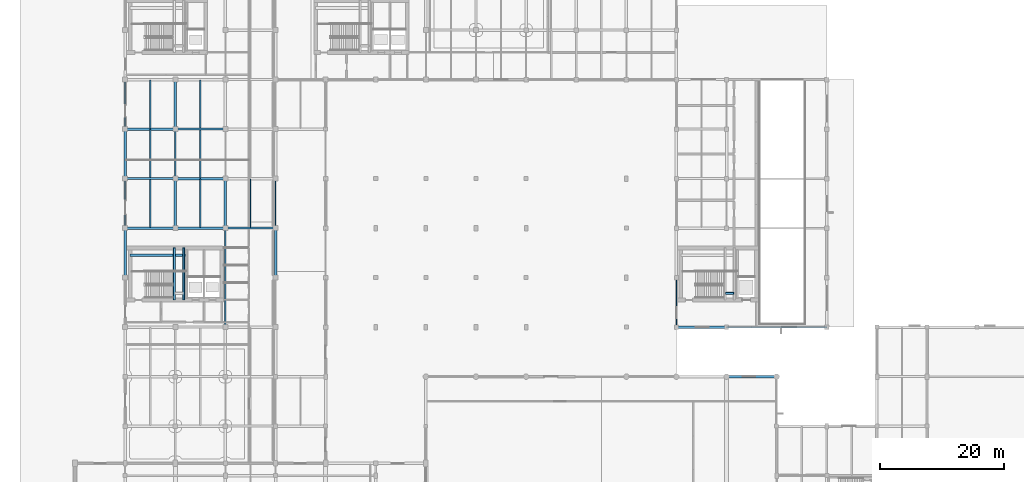
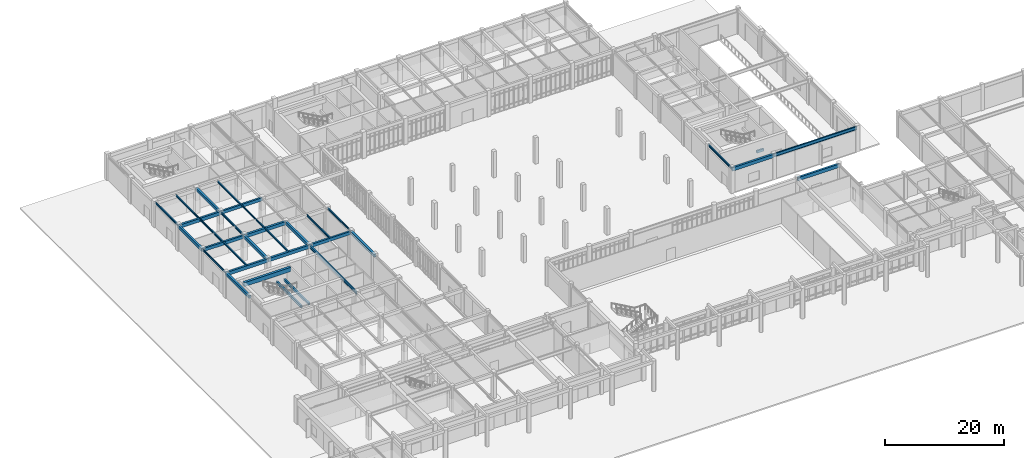
# One storey, part 12 of 62: 33 beams.
"""IFC4 building model written with IfcOpenShell, lengths in metres."""

import ifcopenshell
import ifcopenshell.guid

model = None  # the IFC model being written
_history = None  # IfcOwnerHistory: only IFC2X3 demands one
_inside = {}  # id of a spatial element -> (the spatial element, [elements in it])
_under = {}  # id of a project, library or spatial element -> (it, [spatial elements below it])
_declared = {}  # id of a project -> (the project, [libraries it declares])
_typed = {}  # id of a type object -> (the type object, [elements of that type])
_made_of = {}  # id of a material, layer set ... -> (it, [elements and type objects made of it])


def new_model(schema):
    """Start an empty IFC model of exactly this schema.

    Asked for "IFC4X3", IfcOpenShell would pick the latest addendum, in which some entities
    have other attributes; the version numbers below select the first issue.
    IFC2X3 requires an IfcOwnerHistory on every rooted entity: one is made here for all.
    """
    global model, _history
    if schema == "IFC4X3":
        model = ifcopenshell.file(schema_version=(4, 3, 0, 0))
    else:
        model = ifcopenshell.file(schema=schema)
    _inside.clear()
    _under.clear()
    _declared.clear()
    _typed.clear()
    _made_of.clear()
    _history = None
    if model.schema == "IFC2X3":
        org = make("IfcOrganization", Name="unknown")
        user = make(
            "IfcPersonAndOrganization",
            ThePerson=make("IfcPerson", FamilyName="unknown"),
            TheOrganization=org,
        )
        app = make(
            "IfcApplication",
            ApplicationDeveloper=org,
            Version="unknown",
            ApplicationFullName="unknown",
            ApplicationIdentifier="unknown",
        )
        _history = make(
            "IfcOwnerHistory",
            OwningUser=user,
            OwningApplication=app,
            ChangeAction="ADDED",
            CreationDate=0,
        )
    return model


def make(cls, **values):
    """One entity of the class cls with the attributes given. An attribute that is None is left unset."""
    return model.create_entity(
        cls, **{name: value for name, value in values.items() if value is not None}
    )


def rooted(cls, **values):
    """An entity with a GlobalId (a new one), such as an element, a storey or a relation."""
    return make(cls, GlobalId=ifcopenshell.guid.new(), OwnerHistory=_history, **values)


def si_unit(unit_type, name, prefix=None):
    """IfcSIUnit, for example si_unit("LENGTHUNIT", "METRE", prefix="MILLI")."""
    return make("IfcSIUnit", UnitType=unit_type, Prefix=prefix, Name=name)


def assignment(units):
    """IfcUnitAssignment: the units of a project."""
    return None if units is None else make("IfcUnitAssignment", Units=units)


def point(xyz):
    """IfcCartesianPoint."""
    return None if xyz is None else make("IfcCartesianPoint", Coordinates=xyz)


def direction(xyz):
    """IfcDirection."""
    return None if xyz is None else make("IfcDirection", DirectionRatios=xyz)


def frame(location, z_axis=None, x_axis=None):
    """IfcAxis2Placement3D, a coordinate frame: its origin and axes. An axis left out is left unset."""
    return make(
        "IfcAxis2Placement3D",
        Location=point(location),
        Axis=direction(z_axis),
        RefDirection=direction(x_axis),
    )


def frame_2d(location, x_axis=None):
    """IfcAxis2Placement2D, a coordinate frame in the plane: its origin and x axis."""
    return make(
        "IfcAxis2Placement2D", Location=point(location), RefDirection=direction(x_axis)
    )


def origin():
    """The frame at (0, 0, 0) with its axes left unset."""
    return frame((0.0, 0.0, 0.0))


def origin_2d():
    """The frame at (0, 0) in the plane with its x axis left unset."""
    return frame_2d((0.0, 0.0))


def place(relative_to, where):
    """IfcLocalPlacement: puts the frame where relative to a parent placement (None: the world)."""
    return make(
        "IfcLocalPlacement", PlacementRelTo=relative_to, RelativePlacement=where
    )


def context(
    kind, dimensions, precision=None, world=None, true_north=None, identifier=None
):
    """IfcGeometricRepresentationContext, for example the 3D "Model" context."""
    return make(
        "IfcGeometricRepresentationContext",
        ContextIdentifier=identifier,
        ContextType=kind,
        CoordinateSpaceDimension=dimensions,
        Precision=precision,
        WorldCoordinateSystem=world,
        TrueNorth=true_north,
    )


def subcontext(parent, identifier, kind, view, scale=None):
    """IfcGeometricRepresentationSubContext, for example "Body" below "Model"."""
    return make(
        "IfcGeometricRepresentationSubContext",
        ContextIdentifier=identifier,
        ContextType=kind,
        ParentContext=parent,
        TargetScale=scale,
        TargetView=view,
    )


def project(units=None, contexts=None):
    """IfcProject with its units and contexts."""
    return rooted(
        "IfcProject",
        Name="project",
        RepresentationContexts=contexts,
        UnitsInContext=assignment(units),
    )


def spatial(cls, under=None, at=None, **own):
    """A site, building, storey or space (cls), placed at a placement, below another one or the project."""
    s = rooted(cls, ObjectPlacement=at, **own)
    if under is not None:
        _under.setdefault(under.id(), (under, []))[1].append(s)
    return s


def profile(cls, at=None, kind="AREA", **sizes):
    """A parametric profile (cls). Its sizes go by their IFC names, for example OverallWidth=200.0."""
    return make(cls, ProfileType=kind, Position=at, **sizes)


def rectangle(**sizes):
    """IfcRectangleProfileDef."""
    return profile("IfcRectangleProfileDef", **sizes)


def i_section(**sizes):
    """IfcIShapeProfileDef."""
    return profile("IfcIShapeProfileDef", **sizes)


def extrude(swept, where, along, depth):
    """IfcExtrudedAreaSolid: the profile swept, set in the frame where, extruded along a direction by depth."""
    return make(
        "IfcExtrudedAreaSolid",
        SweptArea=swept,
        Position=where,
        ExtrudedDirection=direction(along),
        Depth=depth,
    )


def shape(context_of_items, identifier, shape_type, items):
    """IfcShapeRepresentation: the items that make up one representation, for example the "Body"."""
    return make(
        "IfcShapeRepresentation",
        ContextOfItems=context_of_items,
        RepresentationIdentifier=identifier,
        RepresentationType=shape_type,
        Items=items,
    )


def material(Name=None, Category=None):
    """IfcMaterial."""
    return make("IfcMaterial", Name=Name, Category=Category)


def material_profile(
    of_material, cross_section, Name=None, Category=None, Priority=None
):
    """IfcMaterialProfile: a cross section and its material."""
    return make(
        "IfcMaterialProfile",
        Name=Name,
        Material=of_material,
        Profile=cross_section,
        Priority=Priority,
        Category=Category,
    )


def profile_set(profiles, Name=None, composite=None):
    """IfcMaterialProfileSet."""
    return make(
        "IfcMaterialProfileSet",
        Name=Name,
        MaterialProfiles=profiles,
        CompositeProfile=composite,
    )


def made_of(thing, what):
    """Note that an element or type object is made of a material, layer set ...; save() writes the relation."""
    if what is not None:
        _made_of.setdefault(what.id(), (what, []))[1].append(thing)
    return thing


def type_object(cls, material=None, **own):
    """A type object (cls), such as IfcWallType, which elements share."""
    return made_of(rooted(cls, **own), material)


def element(
    cls,
    number,
    at=None,
    inside=None,
    cuts=None,
    type_object=None,
    material=None,
    context=None,
    identifier="Body",
    shape_type=None,
    held_by="IfcProductDefinitionShape",
    body=None,
    shapes=None,
    **own,
):
    """One element of the class cls, such as IfcWall. Its Tag is "e" and its number.

    at: its placement. inside: the storey or other place that contains it. cuts: it is an
    opening in that element (IfcRelVoidsElement). A single representation is given by context,
    identifier, shape_type and body (its items); several are given by shapes. held_by: the class
    of the entity that holds the representations. save() writes the other relations.
    """
    e = rooted(cls, Tag="e%d" % number, ObjectPlacement=at, **own)
    if body is not None:
        shapes = [shape(context, identifier, shape_type, body)]
    if shapes is not None:
        e.Representation = make(held_by, Representations=shapes)
    if inside is not None:
        _inside.setdefault(inside.id(), (inside, []))[1].append(e)
    if cuts is not None:
        rooted(
            "IfcRelVoidsElement", RelatingBuildingElement=cuts, RelatedOpeningElement=e
        )
    if type_object is not None:
        _typed.setdefault(type_object.id(), (type_object, []))[1].append(e)
    return made_of(e, material)


def aggregate(whole, parts):
    """IfcRelAggregates: a whole, such as a stair, and the parts it consists of."""
    return rooted("IfcRelAggregates", RelatingObject=whole, RelatedObjects=parts)


def save(model, path):
    """Write the relations noted so far, then the file.

    IfcRelAggregates (storeys below a building ...), IfcRelContainedInSpatialStructure (elements
    in a storey), IfcRelDefinesByType, IfcRelAssociatesMaterial and IfcRelDeclares: one each for
    every whole, place, type object, material and project.
    """
    for whole, parts in _under.values():
        aggregate(whole, parts)
    for where, things in _inside.values():
        rooted(
            "IfcRelContainedInSpatialStructure",
            RelatedElements=things,
            RelatingStructure=where,
        )
    for kind, things in _typed.values():
        rooted("IfcRelDefinesByType", RelatedObjects=things, RelatingType=kind)
    for what, things in _made_of.values():
        rooted("IfcRelAssociatesMaterial", RelatedObjects=things, RelatingMaterial=what)
    for by, libraries in _declared.values():
        rooted("IfcRelDeclares", RelatingContext=by, RelatedDefinitions=libraries)
    model.write(path)


model = new_model("IFC4")

# Units and contexts
model_context = context("Model", 3, precision=1e-05, world=origin(), true_north=direction((0.0, 1.0)))
body_context = subcontext(model_context, "Body", "Model", "MODEL_VIEW")
ifc_project = project(units=[si_unit("LENGTHUNIT", "METRE"), si_unit("AREAUNIT", "SQUARE_METRE"), si_unit("VOLUMEUNIT", "CUBIC_METRE"), si_unit("PLANEANGLEUNIT", "RADIAN"), si_unit("MASSUNIT", "GRAM", prefix="KILO")], contexts=[model_context])

# Site, building, storey
site_placement = place(None, origin())
site = spatial("IfcSite", under=ifc_project, at=site_placement, CompositionType="ELEMENT")
building_placement = place(site_placement, origin())
building = spatial("IfcBuilding", under=site, at=building_placement, Name="Tarnveldt Square Police Headquarters", CompositionType="ELEMENT")
storey_placement = place(building_placement, origin())
storey = spatial("IfcBuildingStorey", under=building, at=storey_placement, Name="L00", CompositionType="ELEMENT", Elevation=0.0)

# Beams
ifc_material_1 = material(Name="Concrete 50 MPa", Category="concrete")
ifc_material_profile_1 = material_profile(ifc_material_1, rectangle(XDim=0.449951171875, YDim=0.85009765625, at=origin_2d()), Name="RC-CB450x850")
ifc_profile_set_1 = profile_set([ifc_material_profile_1], Name="Concrete 50 MPa")
beam_type_1 = type_object("IfcBeamType", Name="BM-CB450x850", PredefinedType="BEAM", material=ifc_profile_set_1)
beam_1_placement = place(storey_placement, frame((17.0, 67.60009765625, 4.97509765625), z_axis=(1.0, 0.0, 0.0), x_axis=(0.0, 1.0, 0.0)))
element("IfcBeam", 1, at=beam_1_placement, inside=storey, type_object=beam_type_1, Name="Core K1 South-West Command and Firefighting Core L00 Ductile Coupling Beam", PredefinedType="BEAM", context=body_context, shape_type="SweptSolid", body=[
    extrude(rectangle(XDim=0.449951171875, YDim=0.85009765625, at=origin_2d()), origin(), (0.0, 0.0, 1.0), 9.14990234375),
])
ifc_material_2 = material(Name="Concrete 40 MPa", Category="concrete")
ifc_material_profile_2 = material_profile(ifc_material_2, rectangle(XDim=0.300048828125, YDim=0.5, at=origin_2d()), Name="RC-B300x500")
ifc_profile_set_2 = profile_set([ifc_material_profile_2], Name="Concrete 40 MPa")
beam_type_2 = type_object("IfcBeamType", Name="BM-RC300x500", PredefinedType="BEAM", material=ifc_profile_set_2)
for number, where, z_axis, x_axis, name in (
    (2, (24.14990234375, 60.39990234375, 2.25), (0.0, 1.0, 0.0), (-1.0, 0.0, 0.0), "ST1 L00 Half-Landing Support Beam 1"),
    (3, (25.64990234375, 60.39990234375, 2.25), (0.0, 1.0, 0.0), (-1.0, 0.0, 0.0), "ST1 L00 Half-Landing Transverse Support Beam"),
):
    element("IfcBeam", number, at=place(storey_placement, frame(where, z_axis=z_axis, x_axis=x_axis)), inside=storey, type_object=beam_type_2, Name=name, PredefinedType="BEAM", context=body_context, shape_type="SweptSolid", body=[
        extrude(rectangle(XDim=0.300048828125, YDim=0.5, at=origin_2d()), origin(), (0.0, 0.0, 1.0), 8.400146484375),
    ])
beam_2_placement = place(storey_placement, frame((113.25, 61.449951171875, 2.25), z_axis=(1.0, 0.0, 0.0), x_axis=(0.0, 1.0, 0.0)))
element("IfcBeam", 4, at=beam_2_placement, inside=storey, type_object=beam_type_2, Name="ST4 L00 Half-Landing Support Beam 2", PredefinedType="BEAM", context=body_context, shape_type="SweptSolid", body=[
    extrude(rectangle(XDim=0.300048828125, YDim=0.5, at=origin_2d()), origin(), (0.0, 0.0, 1.0), 1.300048828125),
])
ifc_material_profile_3 = material_profile(ifc_material_2, rectangle(XDim=0.39990234375, YDim=0.60009765625, at=origin_2d()), Name="RC-B400x600")
ifc_profile_set_3 = profile_set([ifc_material_profile_3], Name="Concrete 40 MPa")
beam_type_3 = type_object("IfcBeamType", Name="BM-RC400x600", PredefinedType="BEAM", material=ifc_profile_set_3)
for number, where, z_axis, x_axis, name in (
    (5, (16.199951171875, 64.0, 4.820068359375), (0.0, 1.0, 0.0), (-1.0, 0.0, 0.0), "L01 Grid Girder Y-0349"),
    (6, (16.199951171875, 80.0, 4.820068359375), (0.0, 1.0, 0.0), (-1.0, 0.0, 0.0), "L01 Grid Girder Y-0351"),
    (7, (24.300048828125, 72.0, 4.820068359375), (0.0, 1.0, 0.0), (-1.0, 0.0, 0.0), "L01 Grid Girder Y-0359"),
    (8, (24.300048828125, 88.0, 4.820068359375), (0.0, 1.0, 0.0), (-1.0, 0.0, 0.0), "L01 Grid Girder Y-0361"),
    (9, (32.39990234375, 72.0, 4.820068359375), (0.0, 1.0, 0.0), (-1.0, 0.0, 0.0), "L01 Grid Girder Y-0369"),
    (10, (40.5, 64.0, 4.820068359375), (0.0, 1.0, 0.0), (-1.0, 0.0, 0.0), "L01 Grid Girder Y-0381"),
):
    element("IfcBeam", number, at=place(storey_placement, frame(where, z_axis=z_axis, x_axis=x_axis)), inside=storey, type_object=beam_type_3, Name=name, PredefinedType="BEAM", context=body_context, shape_type="SweptSolid", body=[
        extrude(rectangle(XDim=0.39990234375, YDim=0.60009765625, at=origin_2d()), origin(), (0.0, 0.0, 1.0), 8.0),
    ])
ifc_material_profile_4 = material_profile(ifc_material_2, rectangle(XDim=0.39990234375, YDim=0.699951171875, at=origin_2d()), Name="RC-B400x700")
ifc_profile_set_4 = profile_set([ifc_material_profile_4], Name="Concrete 40 MPa")
beam_type_4 = type_object("IfcBeamType", Name="BM-RC400x700", PredefinedType="BEAM", material=ifc_profile_set_4)
beam_3_placement = place(storey_placement, frame((113.39990234375, 48.0, 4.77001953125), z_axis=(1.0, 0.0, 0.0), x_axis=(0.0, 1.0, 0.0)))
element("IfcBeam", 11, at=beam_3_placement, inside=storey, type_object=beam_type_4, Name="L01 Grid Girder X-0279", PredefinedType="BEAM", context=body_context, shape_type="SweptSolid", body=[
    extrude(rectangle(XDim=0.39990234375, YDim=0.699951171875, at=origin_2d()), origin(), (0.0, 0.0, 1.0), 8.10009765625),
])
beam_4_placement = place(storey_placement, frame((105.300048828125, 56.0, 4.77001953125), z_axis=(1.0, 0.0, 0.0), x_axis=(0.0, 1.0, 0.0)))
element("IfcBeam", 12, at=beam_4_placement, inside=storey, type_object=beam_type_4, Name="L01 Grid Girder X-0285", PredefinedType="BEAM", context=body_context, shape_type="SweptSolid", body=[
    extrude(rectangle(XDim=0.39990234375, YDim=0.699951171875, at=origin_2d()), origin(), (0.0, 0.0, 1.0), 8.099853515625),
])
beam_5_placement = place(storey_placement, frame((16.199951171875, 72.0, 4.77001953125), z_axis=(1.0, 0.0, 0.0), x_axis=(0.0, 1.0, 0.0)))
element("IfcBeam", 13, at=beam_5_placement, inside=storey, type_object=beam_type_4, Name="L01 Grid Girder X-0290", PredefinedType="BEAM", context=body_context, shape_type="SweptSolid", body=[
    extrude(rectangle(XDim=0.39990234375, YDim=0.699951171875, at=origin_2d()), origin(), (0.0, 0.0, 1.0), 8.10009765625),
])
for number, where, z_axis, x_axis, name in (
    (14, (24.300048828125, 72.0, 4.77001953125), (1.0, 0.0, 0.0), (0.0, 1.0, 0.0), "L01 Grid Girder X-0291"),
    (15, (24.300048828125, 80.0, 4.77001953125), (1.0, 0.0, 0.0), (0.0, 1.0, 0.0), "L01 Grid Girder X-0296"),
):
    element("IfcBeam", number, at=place(storey_placement, frame(where, z_axis=z_axis, x_axis=x_axis)), inside=storey, type_object=beam_type_4, Name=name, PredefinedType="BEAM", context=body_context, shape_type="SweptSolid", body=[
        extrude(rectangle(XDim=0.39990234375, YDim=0.699951171875, at=origin_2d()), origin(), (0.0, 0.0, 1.0), 8.099853515625),
    ])
beam_6_placement = place(storey_placement, frame((16.199951171875, 88.0, 4.77001953125), z_axis=(1.0, 0.0, 0.0), x_axis=(0.0, 1.0, 0.0)))
element("IfcBeam", 16, at=beam_6_placement, inside=storey, type_object=beam_type_4, Name="L01 Grid Girder X-0300", PredefinedType="BEAM", context=body_context, shape_type="SweptSolid", body=[
    extrude(rectangle(XDim=0.39990234375, YDim=0.699951171875, at=origin_2d()), origin(), (0.0, 0.0, 1.0), 8.10009765625),
])
ifc_material_profile_5 = material_profile(ifc_material_2, rectangle(XDim=0.35009765625, YDim=0.64990234375, at=origin_2d()), Name="RC-SP350x650")
ifc_profile_set_5 = profile_set([ifc_material_profile_5], Name="Concrete 40 MPa")
beam_type_5 = type_object("IfcBeamType", Name="BM-SP350x650", PredefinedType="SPANDREL", material=ifc_profile_set_5)
for number, where, z_axis, x_axis, name in (
    (17, (32.39990234375, 72.0, 4.794921875), (1.0, 0.0, 0.0), (0.0, 1.0, 0.0), "L01 Grid Girder X-0292"),
    (18, (16.199951171875, 80.0, 4.794921875), (1.0, 0.0, 0.0), (0.0, 1.0, 0.0), "L01 Grid Girder X-0295"),
):
    element("IfcBeam", number, at=place(storey_placement, frame(where, z_axis=z_axis, x_axis=x_axis)), inside=storey, type_object=beam_type_5, Name=name, PredefinedType="SPANDREL", context=body_context, shape_type="SweptSolid", body=[
        extrude(rectangle(XDim=0.35009765625, YDim=0.64990234375, at=origin_2d()), origin(), (0.0, 0.0, 1.0), 8.10009765625),
    ])
beam_7_placement = place(storey_placement, frame((24.300048828125, 88.0, 4.794921875), z_axis=(1.0, 0.0, 0.0), x_axis=(0.0, 1.0, 0.0)))
element("IfcBeam", 19, at=beam_7_placement, inside=storey, type_object=beam_type_5, Name="L01 Grid Girder X-0301", PredefinedType="SPANDREL", context=body_context, shape_type="SweptSolid", body=[
    extrude(rectangle(XDim=0.35009765625, YDim=0.64990234375, at=origin_2d()), origin(), (0.0, 0.0, 1.0), 8.099853515625),
])
ifc_material_3 = material(Name="Steel 350W", Category="steel")
ifc_material_profile_6 = material_profile(ifc_material_3, i_section(OverallWidth=0.202880859375, OverallDepth=0.302978515625, WebThickness=0.007568359375, FlangeThickness=0.01318359375, FilletRadius=0.014892578125, at=origin_2d()), Name="W310x60")
ifc_profile_set_6 = profile_set([ifc_material_profile_6], Name="Steel 350W")
beam_type_6 = type_object("IfcBeamType", Name="BM-W310x60", PredefinedType="JOIST", material=ifc_profile_set_6)
for number, where, z_axis, x_axis, name in (
    (20, (28.35009765625, 72.080078125, 4.968505859375), (0.0, 1.0, 0.0), (-1.0, 0.0, 0.0), "L01 Secondary Floor Joist 0072"),
    (21, (28.35009765625, 80.080078125, 4.968505859375), (0.0, 1.0, 0.0), (-1.0, 0.0, 0.0), "L01 Secondary Floor Joist 0076"),
    (22, (28.35009765625, 88.080078125, 4.968505859375), (0.0, 1.0, 0.0), (-1.0, 0.0, 0.0), "L01 Secondary Floor Joist 0080"),
):
    element("IfcBeam", number, at=place(storey_placement, frame(where, z_axis=z_axis, x_axis=x_axis)), inside=storey, type_object=beam_type_6, Name=name, PredefinedType="JOIST", context=body_context, shape_type="SweptSolid", body=[
        extrude(i_section(OverallWidth=0.202880859375, OverallDepth=0.302978515625, WebThickness=0.007568359375, FlangeThickness=0.01318359375, FilletRadius=0.014892578125, at=origin_2d()), origin(), (0.0, 0.0, 1.0), 7.83984375),
    ])
ifc_material_profile_7 = material_profile(ifc_material_3, i_section(OverallWidth=0.202880859375, OverallDepth=0.346923828125, WebThickness=0.0078125, FlangeThickness=0.013427734375, FilletRadius=0.01611328125, at=origin_2d()), Name="W360x64")
ifc_profile_set_7 = profile_set([ifc_material_profile_7], Name="Steel 350W")
beam_type_7 = type_object("IfcBeamType", Name="BM-W360x64", PredefinedType="JOIST", material=ifc_profile_set_7)
for number, where, z_axis, x_axis, name in (
    (23, (20.25, 72.080078125, 4.946533203125), (0.0, 1.0, 0.0), (-1.0, 0.0, 0.0), "L01 Secondary Floor Joist 0071"),
    (24, (20.25, 80.080078125, 4.946533203125), (0.0, 1.0, 0.0), (-1.0, 0.0, 0.0), "L01 Secondary Floor Joist 0075"),
    (25, (20.25, 88.080078125, 4.946533203125), (0.0, 1.0, 0.0), (-1.0, 0.0, 0.0), "L01 Secondary Floor Joist 0079"),
):
    element("IfcBeam", number, at=place(storey_placement, frame(where, z_axis=z_axis, x_axis=x_axis)), inside=storey, type_object=beam_type_7, Name=name, PredefinedType="JOIST", context=body_context, shape_type="SweptSolid", body=[
        extrude(i_section(OverallWidth=0.202880859375, OverallDepth=0.346923828125, WebThickness=0.0078125, FlangeThickness=0.013427734375, FilletRadius=0.01611328125, at=origin_2d()), origin(), (0.0, 0.0, 1.0), 7.83984375),
    ])
ifc_material_profile_8 = material_profile(ifc_material_3, i_section(OverallWidth=0.177978515625, OverallDepth=0.406982421875, WebThickness=0.0078125, FlangeThickness=0.0126953125, FilletRadius=0.01611328125, at=origin_2d()), Name="W410x60")
ifc_profile_set_8 = profile_set([ifc_material_profile_8], Name="Steel 350W")
beam_type_8 = type_object("IfcBeamType", Name="BM-W410x60", PredefinedType="JOIST", material=ifc_profile_set_8)
beam_8_placement = place(storey_placement, frame((36.449951171875, 72.080078125, 4.91650390625), z_axis=(0.0, 1.0, 0.0), x_axis=(-1.0, 0.0, 0.0)))
element("IfcBeam", 26, at=beam_8_placement, inside=storey, type_object=beam_type_8, Name="L01 Secondary Floor Joist 0073", PredefinedType="JOIST", context=body_context, shape_type="SweptSolid", body=[
    extrude(i_section(OverallWidth=0.177978515625, OverallDepth=0.406982421875, WebThickness=0.0078125, FlangeThickness=0.0126953125, FilletRadius=0.01611328125, at=origin_2d()), origin(), (0.0, 0.0, 1.0), 7.83984375),
])
ifc_material_profile_9 = material_profile(ifc_material_3, i_section(OverallWidth=0.180908203125, OverallDepth=0.4169921875, WebThickness=0.010986328125, FlangeThickness=0.018310546875, FilletRadius=0.01611328125, at=origin_2d()), Name="W410x85")
ifc_profile_set_9 = profile_set([ifc_material_profile_9], Name="Steel 350W")
beam_type_9 = type_object("IfcBeamType", Name="BM-W410x85", PredefinedType="BEAM", material=ifc_profile_set_9)
for number, where, z_axis, x_axis, name in (
    (27, (16.199951171875, 72.0, 4.91162109375), (0.0, 1.0, 0.0), (-1.0, 0.0, 0.0), "L01 Grid Girder Y-0350"),
    (28, (16.199951171875, 88.0, 4.91162109375), (0.0, 1.0, 0.0), (-1.0, 0.0, 0.0), "L01 Grid Girder Y-0352"),
    (29, (24.300048828125, 80.0, 4.91162109375), (0.0, 1.0, 0.0), (-1.0, 0.0, 0.0), "L01 Grid Girder Y-0360"),
    (30, (40.5, 72.0, 4.91162109375), (0.0, 1.0, 0.0), (-1.0, 0.0, 0.0), "L01 Grid Girder Y-0382"),
    (31, (105.300048828125, 56.0, 4.91162109375), (0.0, 1.0, 0.0), (-1.0, 0.0, 0.0), "L01 Grid Girder Y-0412"),
):
    element("IfcBeam", number, at=place(storey_placement, frame(where, z_axis=z_axis, x_axis=x_axis)), inside=storey, type_object=beam_type_9, Name=name, PredefinedType="BEAM", context=body_context, shape_type="SweptSolid", body=[
        extrude(i_section(OverallWidth=0.180908203125, OverallDepth=0.4169921875, WebThickness=0.010986328125, FlangeThickness=0.018310546875, FilletRadius=0.01611328125, at=origin_2d()), origin(), (0.0, 0.0, 1.0), 8.0),
    ])
ifc_material_profile_10 = material_profile(ifc_material_3, i_section(OverallWidth=0.22900390625, OverallDepth=0.612060546875, WebThickness=0.011962890625, FlangeThickness=0.01953125, FilletRadius=0.01904296875, at=origin_2d()), Name="W610x125")
ifc_profile_set_10 = profile_set([ifc_material_profile_10], Name="Steel 350W")
beam_type_10 = type_object("IfcBeamType", Name="BM-W610x125", PredefinedType="BEAM", material=ifc_profile_set_10)
beam_9_placement = place(storey_placement, frame((32.39990234375, 56.0, 4.81396484375), z_axis=(0.0, 1.0, 0.0), x_axis=(-1.0, 0.0, 0.0)))
element("IfcBeam", 32, at=beam_9_placement, inside=storey, type_object=beam_type_10, Name="L01 Grid Girder Y-0368", PredefinedType="BEAM", context=body_context, shape_type="SweptSolid", body=[
    extrude(i_section(OverallWidth=0.22900390625, OverallDepth=0.612060546875, WebThickness=0.011962890625, FlangeThickness=0.01953125, FilletRadius=0.01904296875, at=origin_2d()), origin(), (0.0, 0.0, 1.0), 16.0),
])
ifc_material_profile_11 = material_profile(ifc_material_3, i_section(OverallWidth=0.25390625, OverallDepth=0.68798828125, WebThickness=0.01318359375, FlangeThickness=0.02099609375, FilletRadius=0.02001953125, at=origin_2d()), Name="W690x152")
ifc_profile_set_11 = profile_set([ifc_material_profile_11], Name="Steel 350W")
beam_type_11 = type_object("IfcBeamType", Name="BM-W690x152", PredefinedType="BEAM", material=ifc_profile_set_11)
beam_10_placement = place(storey_placement, frame((113.39990234375, 56.0, 4.77587890625), z_axis=(1.0, 0.0, 0.0), x_axis=(0.0, 1.0, 0.0)))
element("IfcBeam", 33, at=beam_10_placement, inside=storey, type_object=beam_type_11, Name="L01 Grid Girder X-0286", PredefinedType="BEAM", context=body_context, shape_type="SweptSolid", body=[
    extrude(i_section(OverallWidth=0.25390625, OverallDepth=0.68798828125, WebThickness=0.01318359375, FlangeThickness=0.02099609375, FilletRadius=0.02001953125, at=origin_2d()), origin(), (0.0, 0.0, 1.0), 16.2001953125),
])

save(model, "model.ifc")
